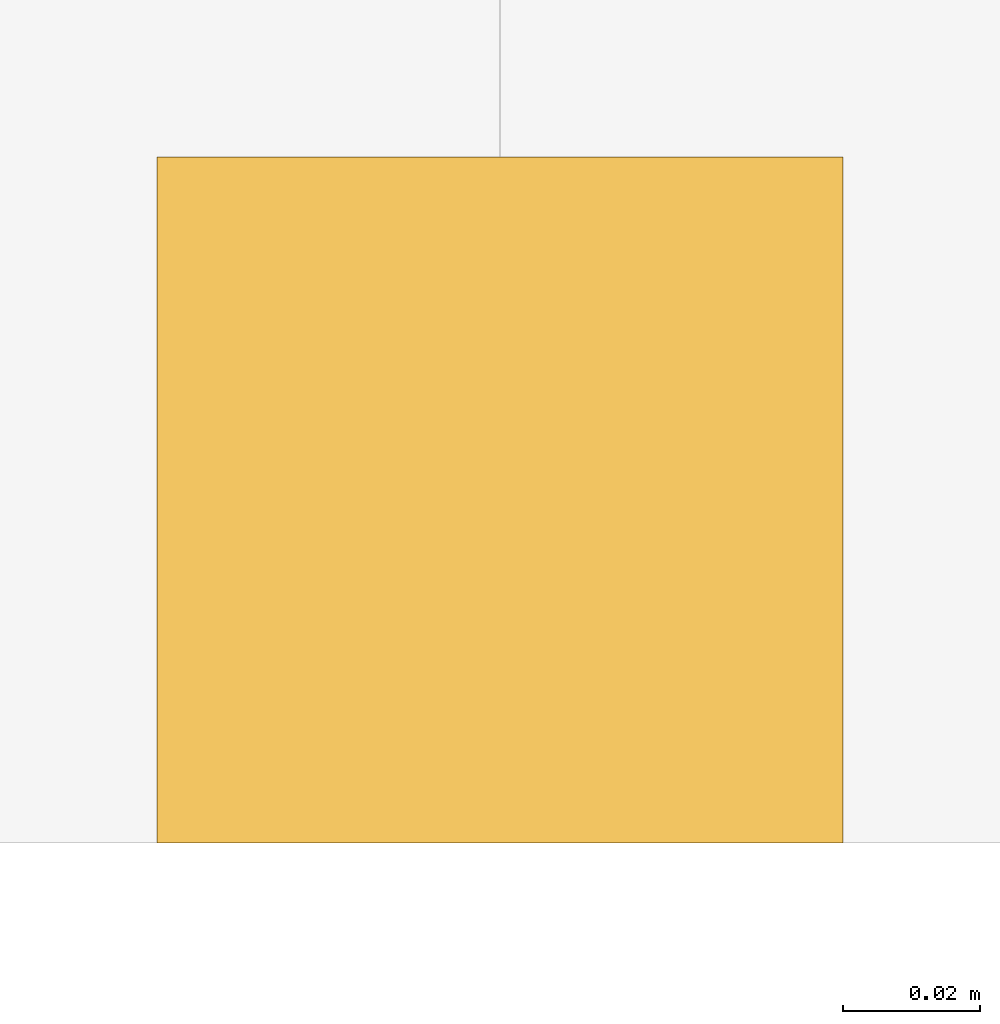
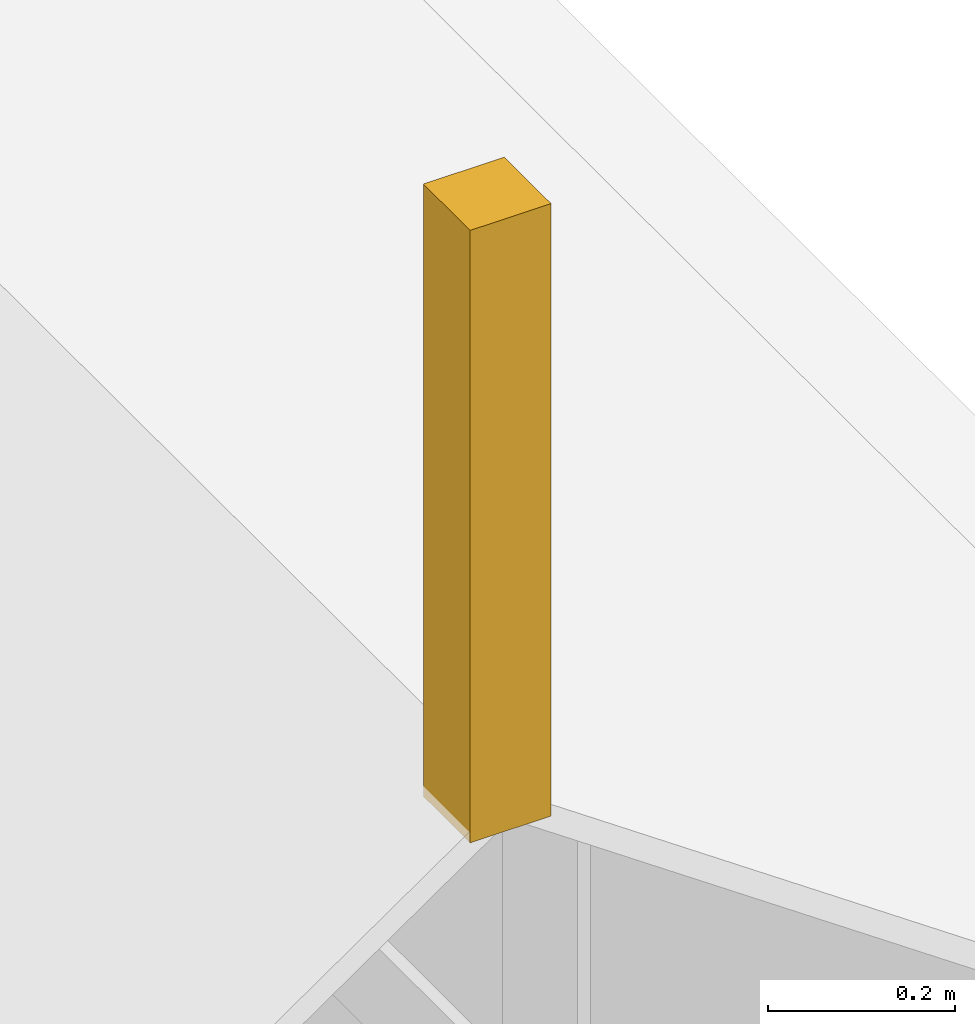
# One storey, part 26 of 28: 1 covering.
"""IFC4 building model written with IfcOpenShell, lengths in metres."""

from ifc_helpers import new_model, si_unit, direction, frame, origin, origin_2d, place, context, subcontext, project, spatial, rectangle, extrude, material, layer, layer_set, type_object, element, save


model = new_model("IFC4")

# Units and contexts
model_context = context("Model", 3, precision=1e-05, world=origin(), true_north=direction((0.0, 1.0)))
body_context = subcontext(model_context, "Body", "Model", "MODEL_VIEW")
ifc_project = project(units=[si_unit("LENGTHUNIT", "METRE"), si_unit("AREAUNIT", "SQUARE_METRE"), si_unit("VOLUMEUNIT", "CUBIC_METRE"), si_unit("PLANEANGLEUNIT", "RADIAN"), si_unit("MASSUNIT", "GRAM", prefix="KILO")], contexts=[model_context])

# Site, building, storey
site_placement = place(None, origin())
site = spatial("IfcSite", under=ifc_project, at=site_placement, CompositionType="ELEMENT")
building_placement = place(site_placement, origin())
building = spatial("IfcBuilding", under=site, at=building_placement, Name="Mazhai Court Health Centre", CompositionType="ELEMENT")
storey_placement = place(building_placement, frame((0.0, 0.0, 18.0)))
storey = spatial("IfcBuildingStorey", under=building, at=storey_placement, Name="RF", CompositionType="ELEMENT", Elevation=18.0)

# Covering
ifc_material = material(Name="Zinc sheet")
ifc_layer = layer(ifc_material, 0.10009765625)
ifc_layer_set = layer_set([ifc_layer], Name="ZINC FINIAL 100")
covering_type = type_object("IfcCoveringType", Name="ZINC FINIAL 100", PredefinedType="MOLDING", material=ifc_layer_set)
covering_placement = place(storey_placement, frame((53.0, 11.199951171875, 4.0791015625), z_axis=(0.0, 0.0, 1.0), x_axis=(1.0, 0.0, 0.0)))
element("IfcCovering", 1, at=covering_placement, inside=storey, type_object=covering_type, Name="Lantern finial V1S", PredefinedType="MOLDING", context=body_context, shape_type="SweptSolid", body=[
    extrude(rectangle(XDim=0.10009765625, YDim=0.10009765625, at=origin_2d()), origin(), (0.0, 0.0, 1.0), 0.800048828125),
])

save(model, "model.ifc")
